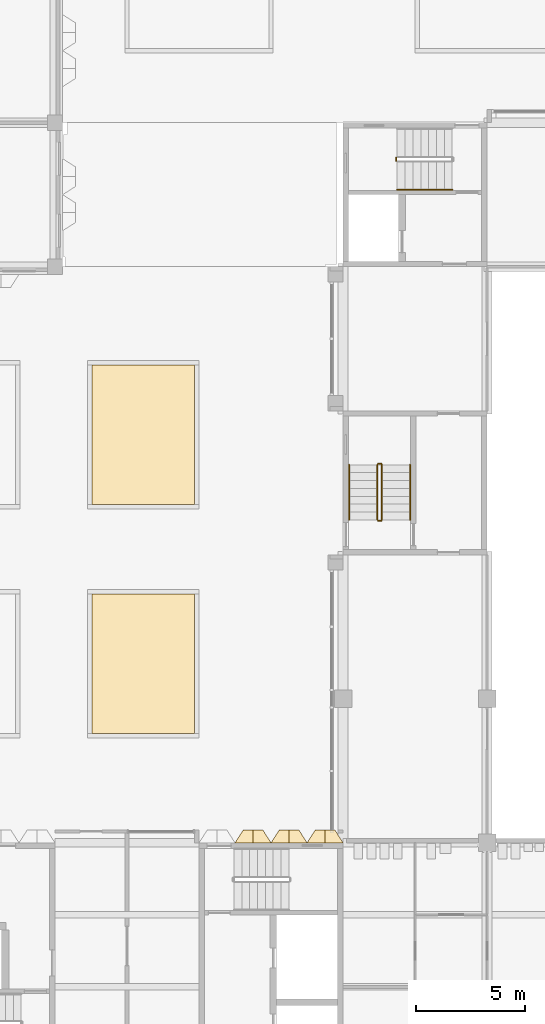
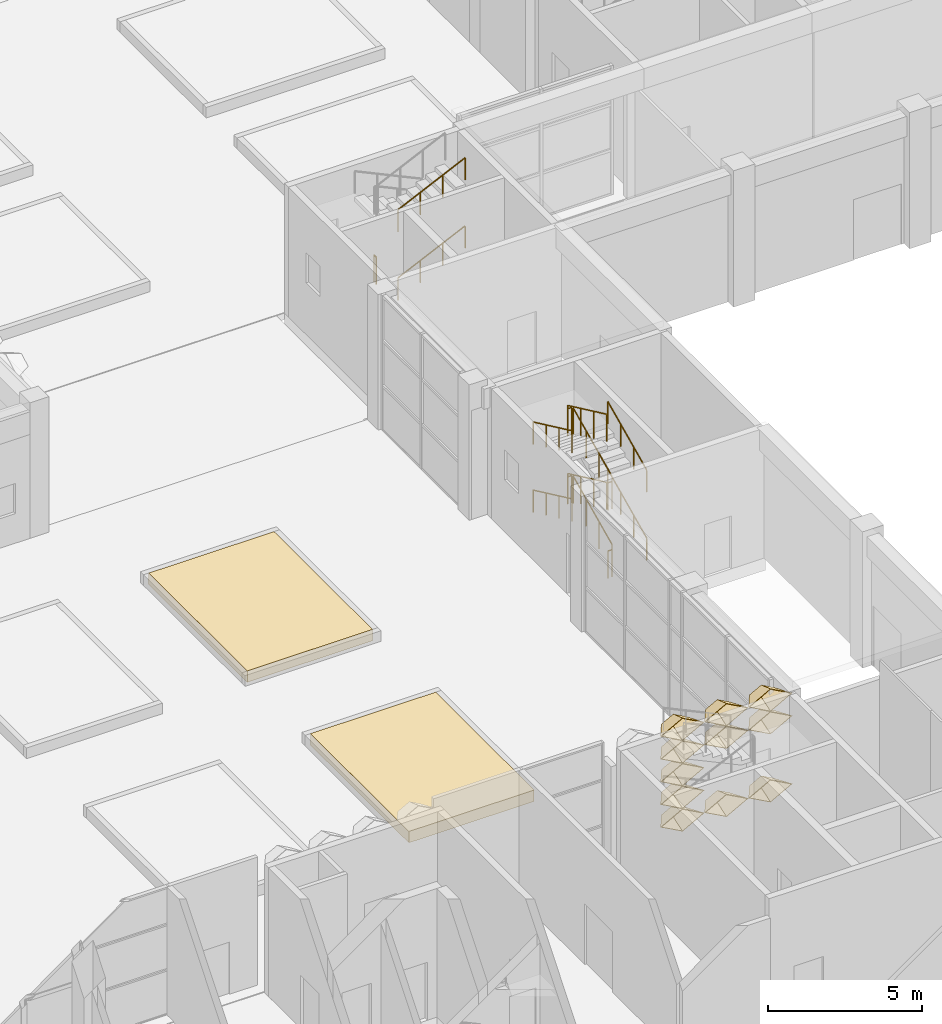
# One storey, part 58 of 85: 15 railings, 13 coverings.
"""IFC4 building model written with IfcOpenShell, lengths in metres."""

from ifc_helpers import new_model, entity, si_unit, direction, frame, origin, origin_2d, place, context, subcontext, project, spatial, polyline, circle, outline, extrude, material, layer, layer_set, type_object, element, save


model = new_model("IFC4")

# Units and contexts
model_context = context("Model", 3, precision=1e-05, world=origin(), true_north=direction((0.0, 1.0)))
body_context = subcontext(model_context, "Body", "Model", "MODEL_VIEW")
ifc_project = project(units=[si_unit("LENGTHUNIT", "METRE"), si_unit("AREAUNIT", "SQUARE_METRE"), si_unit("VOLUMEUNIT", "CUBIC_METRE"), si_unit("PLANEANGLEUNIT", "RADIAN"), si_unit("MASSUNIT", "GRAM", prefix="KILO")], contexts=[model_context])

# Site, building, storey
site_placement = place(None, origin())
site = spatial("IfcSite", under=ifc_project, at=site_placement, CompositionType="ELEMENT")
building_placement = place(site_placement, origin())
building = spatial("IfcBuilding", under=site, at=building_placement, Name="Lantern Court Research Institute", CompositionType="ELEMENT")
storey_placement = place(building_placement, origin())
storey = spatial("IfcBuildingStorey", under=building, at=storey_placement, Name="L00", CompositionType="ELEMENT", Elevation=0.0)

# Coverings
ifc_material_1 = material(Name="Anodised aluminium", Category="aluminium")
ifc_layer_1 = layer(ifc_material_1, 0.01611328125)
ifc_layer_set_1 = layer_set([ifc_layer_1], Name="Anodised aluminium")
covering_type_1 = type_object("IfcCoveringType", Name="Fin cassette 1650 x 900 x 600 aluminium", PredefinedType="CLADDING", material=ifc_layer_set_1)
covering_1_placement = place(storey_placement, frame((35.47509765625, 23.10009765625, 1.35009765625), z_axis=(0.0, 1.0, 0.0), x_axis=(-1.0, 0.0, 0.0)))
cartesian_point_1 = entity("IfcCartesianPoint", [0.824951171875, 0.0])
cartesian_point_2 = entity("IfcCartesianPoint", [0.79150390625, 0.0])
cartesian_point_3 = entity("IfcCartesianPoint", [0.44189453125, 0.0])
cartesian_point_4 = entity("IfcCartesianPoint", [0.43359375, 0.0])
element("IfcCovering", 1, at=covering_1_placement, inside=storey, type_object=covering_type_1, Name="Fin cassette V4N-L00 2.22", PredefinedType="CLADDING", context=body_context, shape_type="SweptSolid", body=[
    entity("IfcExtrudedAreaSolidTapered", entity("IfcArbitraryProfileDefWithVoids", "AREA", None, entity("IfcPolyline", [cartesian_point_1, entity("IfcCartesianPoint", [0.0, 0.449951171875]), entity("IfcCartesianPoint", [-0.824951171875, 0.0]), entity("IfcCartesianPoint", [0.0, -0.449951171875]), cartesian_point_1]), [entity("IfcPolyline", [cartesian_point_2, entity("IfcCartesianPoint", [0.0, 0.431884765625]), entity("IfcCartesianPoint", [-0.79150390625, 0.0]), entity("IfcCartesianPoint", [0.0, -0.431884765625]), cartesian_point_2])]), entity("IfcAxis2Placement3D", entity("IfcCartesianPoint", [0.0, 0.0, 0.0])), entity("IfcDirection", [0.0, 0.0, 1.0]), 0.60009765625, entity("IfcArbitraryProfileDefWithVoids", "AREA", None, entity("IfcPolyline", [cartesian_point_3, entity("IfcCartesianPoint", [0.0, 0.240966796875]), entity("IfcCartesianPoint", [-0.44189453125, 0.0]), entity("IfcCartesianPoint", [0.0, -0.240966796875]), cartesian_point_3]), [entity("IfcPolyline", [cartesian_point_4, entity("IfcCartesianPoint", [0.0, 0.236572265625]), entity("IfcCartesianPoint", [-0.43359375, 0.0]), entity("IfcCartesianPoint", [0.0, -0.236572265625]), cartesian_point_4])])),
])
covering_2_placement = place(storey_placement, frame((37.125, 23.10009765625, 1.35009765625), z_axis=(0.0, 1.0, 0.0), x_axis=(-1.0, 0.0, 0.0)))
cartesian_point_5 = entity("IfcCartesianPoint", [0.824951171875, 0.0])
cartesian_point_6 = entity("IfcCartesianPoint", [0.79150390625, 0.0])
cartesian_point_7 = entity("IfcCartesianPoint", [0.44189453125, 0.0])
cartesian_point_8 = entity("IfcCartesianPoint", [0.43359375, 0.0])
element("IfcCovering", 2, at=covering_2_placement, inside=storey, type_object=covering_type_1, Name="Fin cassette V4N-L00 2.23", PredefinedType="CLADDING", context=body_context, shape_type="SweptSolid", body=[
    entity("IfcExtrudedAreaSolidTapered", entity("IfcArbitraryProfileDefWithVoids", "AREA", None, entity("IfcPolyline", [cartesian_point_5, entity("IfcCartesianPoint", [0.0, 0.449951171875]), entity("IfcCartesianPoint", [-0.824951171875, 0.0]), entity("IfcCartesianPoint", [0.0, -0.449951171875]), cartesian_point_5]), [entity("IfcPolyline", [cartesian_point_6, entity("IfcCartesianPoint", [0.0, 0.431884765625]), entity("IfcCartesianPoint", [-0.79150390625, 0.0]), entity("IfcCartesianPoint", [0.0, -0.431884765625]), cartesian_point_6])]), entity("IfcAxis2Placement3D", entity("IfcCartesianPoint", [0.0, 0.0, 0.0])), entity("IfcDirection", [0.0, 0.0, 1.0]), 0.60009765625, entity("IfcArbitraryProfileDefWithVoids", "AREA", None, entity("IfcPolyline", [cartesian_point_7, entity("IfcCartesianPoint", [0.0, 0.240966796875]), entity("IfcCartesianPoint", [-0.44189453125, 0.0]), entity("IfcCartesianPoint", [0.0, -0.240966796875]), cartesian_point_7]), [entity("IfcPolyline", [cartesian_point_8, entity("IfcCartesianPoint", [0.0, 0.236572265625]), entity("IfcCartesianPoint", [-0.43359375, 0.0]), entity("IfcCartesianPoint", [0.0, -0.236572265625]), cartesian_point_8])])),
])
covering_3_placement = place(storey_placement, frame((38.77490234375, 23.10009765625, 1.35009765625), z_axis=(0.0, 1.0, 0.0), x_axis=(-1.0, 0.0, 0.0)))
cartesian_point_9 = entity("IfcCartesianPoint", [0.824951171875, 0.0])
cartesian_point_10 = entity("IfcCartesianPoint", [0.79150390625, 0.0])
cartesian_point_11 = entity("IfcCartesianPoint", [0.44189453125, 0.0])
cartesian_point_12 = entity("IfcCartesianPoint", [0.43359375, 0.0])
element("IfcCovering", 3, at=covering_3_placement, inside=storey, type_object=covering_type_1, Name="Fin cassette V4N-L00 2.24", PredefinedType="CLADDING", context=body_context, shape_type="SweptSolid", body=[
    entity("IfcExtrudedAreaSolidTapered", entity("IfcArbitraryProfileDefWithVoids", "AREA", None, entity("IfcPolyline", [cartesian_point_9, entity("IfcCartesianPoint", [0.0, 0.449951171875]), entity("IfcCartesianPoint", [-0.824951171875, 0.0]), entity("IfcCartesianPoint", [0.0, -0.449951171875]), cartesian_point_9]), [entity("IfcPolyline", [cartesian_point_10, entity("IfcCartesianPoint", [0.0, 0.431884765625]), entity("IfcCartesianPoint", [-0.79150390625, 0.0]), entity("IfcCartesianPoint", [0.0, -0.431884765625]), cartesian_point_10])]), entity("IfcAxis2Placement3D", entity("IfcCartesianPoint", [0.0, 0.0, 0.0])), entity("IfcDirection", [0.0, 0.0, 1.0]), 0.60009765625, entity("IfcArbitraryProfileDefWithVoids", "AREA", None, entity("IfcPolyline", [cartesian_point_11, entity("IfcCartesianPoint", [0.0, 0.240966796875]), entity("IfcCartesianPoint", [-0.44189453125, 0.0]), entity("IfcCartesianPoint", [0.0, -0.240966796875]), cartesian_point_11]), [entity("IfcPolyline", [cartesian_point_12, entity("IfcCartesianPoint", [0.0, 0.236572265625]), entity("IfcCartesianPoint", [-0.43359375, 0.0]), entity("IfcCartesianPoint", [0.0, -0.236572265625]), cartesian_point_12])])),
])
covering_4_placement = place(storey_placement, frame((35.47509765625, 23.10009765625, 2.25), z_axis=(0.0, 1.0, 0.0), x_axis=(-1.0, 0.0, 0.0)))
cartesian_point_13 = entity("IfcCartesianPoint", [0.824951171875, 0.0])
cartesian_point_14 = entity("IfcCartesianPoint", [0.79150390625, 0.0])
cartesian_point_15 = entity("IfcCartesianPoint", [0.44189453125, 0.0])
cartesian_point_16 = entity("IfcCartesianPoint", [0.43359375, 0.0])
element("IfcCovering", 4, at=covering_4_placement, inside=storey, type_object=covering_type_1, Name="Fin cassette V4N-L00 3.22", PredefinedType="CLADDING", context=body_context, shape_type="SweptSolid", body=[
    entity("IfcExtrudedAreaSolidTapered", entity("IfcArbitraryProfileDefWithVoids", "AREA", None, entity("IfcPolyline", [cartesian_point_13, entity("IfcCartesianPoint", [0.0, 0.449951171875]), entity("IfcCartesianPoint", [-0.824951171875, 0.0]), entity("IfcCartesianPoint", [0.0, -0.449951171875]), cartesian_point_13]), [entity("IfcPolyline", [cartesian_point_14, entity("IfcCartesianPoint", [0.0, 0.431884765625]), entity("IfcCartesianPoint", [-0.79150390625, 0.0]), entity("IfcCartesianPoint", [0.0, -0.431884765625]), cartesian_point_14])]), entity("IfcAxis2Placement3D", entity("IfcCartesianPoint", [0.0, 0.0, 0.0])), entity("IfcDirection", [0.0, 0.0, 1.0]), 0.60009765625, entity("IfcArbitraryProfileDefWithVoids", "AREA", None, entity("IfcPolyline", [cartesian_point_15, entity("IfcCartesianPoint", [0.0, 0.240966796875]), entity("IfcCartesianPoint", [-0.44189453125, 0.0]), entity("IfcCartesianPoint", [0.0, -0.240966796875]), cartesian_point_15]), [entity("IfcPolyline", [cartesian_point_16, entity("IfcCartesianPoint", [0.0, 0.236572265625]), entity("IfcCartesianPoint", [-0.43359375, 0.0]), entity("IfcCartesianPoint", [0.0, -0.236572265625]), cartesian_point_16])])),
])
covering_5_placement = place(storey_placement, frame((35.47509765625, 23.10009765625, 3.14990234375), z_axis=(0.0, 1.0, 0.0), x_axis=(-1.0, 0.0, 0.0)))
cartesian_point_17 = entity("IfcCartesianPoint", [0.824951171875, 0.0])
cartesian_point_18 = entity("IfcCartesianPoint", [0.79150390625, 0.0])
cartesian_point_19 = entity("IfcCartesianPoint", [0.44189453125, 0.0])
cartesian_point_20 = entity("IfcCartesianPoint", [0.43359375, 0.0])
element("IfcCovering", 5, at=covering_5_placement, inside=storey, type_object=covering_type_1, Name="Fin cassette V4N-L00 4.22", PredefinedType="CLADDING", context=body_context, shape_type="SweptSolid", body=[
    entity("IfcExtrudedAreaSolidTapered", entity("IfcArbitraryProfileDefWithVoids", "AREA", None, entity("IfcPolyline", [cartesian_point_17, entity("IfcCartesianPoint", [0.0, 0.449951171875]), entity("IfcCartesianPoint", [-0.824951171875, 0.0]), entity("IfcCartesianPoint", [0.0, -0.449951171875]), cartesian_point_17]), [entity("IfcPolyline", [cartesian_point_18, entity("IfcCartesianPoint", [0.0, 0.431884765625]), entity("IfcCartesianPoint", [-0.79150390625, 0.0]), entity("IfcCartesianPoint", [0.0, -0.431884765625]), cartesian_point_18])]), entity("IfcAxis2Placement3D", entity("IfcCartesianPoint", [0.0, 0.0, 0.0])), entity("IfcDirection", [0.0, 0.0, 1.0]), 0.60009765625, entity("IfcArbitraryProfileDefWithVoids", "AREA", None, entity("IfcPolyline", [cartesian_point_19, entity("IfcCartesianPoint", [0.0, 0.240966796875]), entity("IfcCartesianPoint", [-0.44189453125, 0.0]), entity("IfcCartesianPoint", [0.0, -0.240966796875]), cartesian_point_19]), [entity("IfcPolyline", [cartesian_point_20, entity("IfcCartesianPoint", [0.0, 0.236572265625]), entity("IfcCartesianPoint", [-0.43359375, 0.0]), entity("IfcCartesianPoint", [0.0, -0.236572265625]), cartesian_point_20])])),
])
covering_6_placement = place(storey_placement, frame((35.47509765625, 23.10009765625, 4.050048828125), z_axis=(0.0, 1.0, 0.0), x_axis=(-1.0, 0.0, 0.0)))
cartesian_point_21 = entity("IfcCartesianPoint", [0.824951171875, 0.0])
cartesian_point_22 = entity("IfcCartesianPoint", [0.79150390625, 0.0])
cartesian_point_23 = entity("IfcCartesianPoint", [0.44189453125, 0.0])
cartesian_point_24 = entity("IfcCartesianPoint", [0.43359375, 0.0])
element("IfcCovering", 6, at=covering_6_placement, inside=storey, type_object=covering_type_1, Name="Fin cassette V4N-L00 5.22", PredefinedType="CLADDING", context=body_context, shape_type="SweptSolid", body=[
    entity("IfcExtrudedAreaSolidTapered", entity("IfcArbitraryProfileDefWithVoids", "AREA", None, entity("IfcPolyline", [cartesian_point_21, entity("IfcCartesianPoint", [0.0, 0.449951171875]), entity("IfcCartesianPoint", [-0.824951171875, 0.0]), entity("IfcCartesianPoint", [0.0, -0.449951171875]), cartesian_point_21]), [entity("IfcPolyline", [cartesian_point_22, entity("IfcCartesianPoint", [0.0, 0.431884765625]), entity("IfcCartesianPoint", [-0.79150390625, 0.0]), entity("IfcCartesianPoint", [0.0, -0.431884765625]), cartesian_point_22])]), entity("IfcAxis2Placement3D", entity("IfcCartesianPoint", [0.0, 0.0, 0.0])), entity("IfcDirection", [0.0, 0.0, 1.0]), 0.60009765625, entity("IfcArbitraryProfileDefWithVoids", "AREA", None, entity("IfcPolyline", [cartesian_point_23, entity("IfcCartesianPoint", [0.0, 0.240966796875]), entity("IfcCartesianPoint", [-0.44189453125, 0.0]), entity("IfcCartesianPoint", [0.0, -0.240966796875]), cartesian_point_23]), [entity("IfcPolyline", [cartesian_point_24, entity("IfcCartesianPoint", [0.0, 0.236572265625]), entity("IfcCartesianPoint", [-0.43359375, 0.0]), entity("IfcCartesianPoint", [0.0, -0.236572265625]), cartesian_point_24])])),
])
covering_7_placement = place(storey_placement, frame((37.125, 23.10009765625, 4.050048828125), z_axis=(0.0, 1.0, 0.0), x_axis=(-1.0, 0.0, 0.0)))
cartesian_point_25 = entity("IfcCartesianPoint", [0.824951171875, 0.0])
cartesian_point_26 = entity("IfcCartesianPoint", [0.79150390625, 0.0])
cartesian_point_27 = entity("IfcCartesianPoint", [0.44189453125, 0.0])
cartesian_point_28 = entity("IfcCartesianPoint", [0.43359375, 0.0])
element("IfcCovering", 7, at=covering_7_placement, inside=storey, type_object=covering_type_1, Name="Fin cassette V4N-L00 5.23", PredefinedType="CLADDING", context=body_context, shape_type="SweptSolid", body=[
    entity("IfcExtrudedAreaSolidTapered", entity("IfcArbitraryProfileDefWithVoids", "AREA", None, entity("IfcPolyline", [cartesian_point_25, entity("IfcCartesianPoint", [0.0, 0.449951171875]), entity("IfcCartesianPoint", [-0.824951171875, 0.0]), entity("IfcCartesianPoint", [0.0, -0.449951171875]), cartesian_point_25]), [entity("IfcPolyline", [cartesian_point_26, entity("IfcCartesianPoint", [0.0, 0.431884765625]), entity("IfcCartesianPoint", [-0.79150390625, 0.0]), entity("IfcCartesianPoint", [0.0, -0.431884765625]), cartesian_point_26])]), entity("IfcAxis2Placement3D", entity("IfcCartesianPoint", [0.0, 0.0, 0.0])), entity("IfcDirection", [0.0, 0.0, 1.0]), 0.60009765625, entity("IfcArbitraryProfileDefWithVoids", "AREA", None, entity("IfcPolyline", [cartesian_point_27, entity("IfcCartesianPoint", [0.0, 0.240966796875]), entity("IfcCartesianPoint", [-0.44189453125, 0.0]), entity("IfcCartesianPoint", [0.0, -0.240966796875]), cartesian_point_27]), [entity("IfcPolyline", [cartesian_point_28, entity("IfcCartesianPoint", [0.0, 0.236572265625]), entity("IfcCartesianPoint", [-0.43359375, 0.0]), entity("IfcCartesianPoint", [0.0, -0.236572265625]), cartesian_point_28])])),
])
covering_8_placement = place(storey_placement, frame((38.77490234375, 23.10009765625, 4.050048828125), z_axis=(0.0, 1.0, 0.0), x_axis=(-1.0, 0.0, 0.0)))
cartesian_point_29 = entity("IfcCartesianPoint", [0.824951171875, 0.0])
cartesian_point_30 = entity("IfcCartesianPoint", [0.79150390625, 0.0])
cartesian_point_31 = entity("IfcCartesianPoint", [0.44189453125, 0.0])
cartesian_point_32 = entity("IfcCartesianPoint", [0.43359375, 0.0])
element("IfcCovering", 8, at=covering_8_placement, inside=storey, type_object=covering_type_1, Name="Fin cassette V4N-L00 5.24", PredefinedType="CLADDING", context=body_context, shape_type="SweptSolid", body=[
    entity("IfcExtrudedAreaSolidTapered", entity("IfcArbitraryProfileDefWithVoids", "AREA", None, entity("IfcPolyline", [cartesian_point_29, entity("IfcCartesianPoint", [0.0, 0.449951171875]), entity("IfcCartesianPoint", [-0.824951171875, 0.0]), entity("IfcCartesianPoint", [0.0, -0.449951171875]), cartesian_point_29]), [entity("IfcPolyline", [cartesian_point_30, entity("IfcCartesianPoint", [0.0, 0.431884765625]), entity("IfcCartesianPoint", [-0.79150390625, 0.0]), entity("IfcCartesianPoint", [0.0, -0.431884765625]), cartesian_point_30])]), entity("IfcAxis2Placement3D", entity("IfcCartesianPoint", [0.0, 0.0, 0.0])), entity("IfcDirection", [0.0, 0.0, 1.0]), 0.60009765625, entity("IfcArbitraryProfileDefWithVoids", "AREA", None, entity("IfcPolyline", [cartesian_point_31, entity("IfcCartesianPoint", [0.0, 0.240966796875]), entity("IfcCartesianPoint", [-0.44189453125, 0.0]), entity("IfcCartesianPoint", [0.0, -0.240966796875]), cartesian_point_31]), [entity("IfcPolyline", [cartesian_point_32, entity("IfcCartesianPoint", [0.0, 0.236572265625]), entity("IfcCartesianPoint", [-0.43359375, 0.0]), entity("IfcCartesianPoint", [0.0, -0.236572265625]), cartesian_point_32])])),
])
covering_9_placement = place(storey_placement, frame((35.47509765625, 23.10009765625, 4.949951171875), z_axis=(0.0, 1.0, 0.0), x_axis=(-1.0, 0.0, 0.0)))
cartesian_point_33 = entity("IfcCartesianPoint", [0.824951171875, 0.0])
cartesian_point_34 = entity("IfcCartesianPoint", [0.79150390625, 0.0])
cartesian_point_35 = entity("IfcCartesianPoint", [0.44189453125, 0.0])
cartesian_point_36 = entity("IfcCartesianPoint", [0.43359375, 0.0])
element("IfcCovering", 9, at=covering_9_placement, inside=storey, type_object=covering_type_1, Name="Fin cassette V4N-L00 6.22", PredefinedType="CLADDING", context=body_context, shape_type="SweptSolid", body=[
    entity("IfcExtrudedAreaSolidTapered", entity("IfcArbitraryProfileDefWithVoids", "AREA", None, entity("IfcPolyline", [cartesian_point_33, entity("IfcCartesianPoint", [0.0, 0.449951171875]), entity("IfcCartesianPoint", [-0.824951171875, 0.0]), entity("IfcCartesianPoint", [0.0, -0.449951171875]), cartesian_point_33]), [entity("IfcPolyline", [cartesian_point_34, entity("IfcCartesianPoint", [0.0, 0.431884765625]), entity("IfcCartesianPoint", [-0.79150390625, 0.0]), entity("IfcCartesianPoint", [0.0, -0.431884765625]), cartesian_point_34])]), entity("IfcAxis2Placement3D", entity("IfcCartesianPoint", [0.0, 0.0, 0.0])), entity("IfcDirection", [0.0, 0.0, 1.0]), 0.60009765625, entity("IfcArbitraryProfileDefWithVoids", "AREA", None, entity("IfcPolyline", [cartesian_point_35, entity("IfcCartesianPoint", [0.0, 0.240966796875]), entity("IfcCartesianPoint", [-0.44189453125, 0.0]), entity("IfcCartesianPoint", [0.0, -0.240966796875]), cartesian_point_35]), [entity("IfcPolyline", [cartesian_point_36, entity("IfcCartesianPoint", [0.0, 0.236572265625]), entity("IfcCartesianPoint", [-0.43359375, 0.0]), entity("IfcCartesianPoint", [0.0, -0.236572265625]), cartesian_point_36])])),
])
covering_10_placement = place(storey_placement, frame((37.125, 23.10009765625, 4.949951171875), z_axis=(0.0, 1.0, 0.0), x_axis=(-1.0, 0.0, 0.0)))
cartesian_point_37 = entity("IfcCartesianPoint", [0.824951171875, 0.0])
cartesian_point_38 = entity("IfcCartesianPoint", [0.79150390625, 0.0])
cartesian_point_39 = entity("IfcCartesianPoint", [0.44189453125, 0.0])
cartesian_point_40 = entity("IfcCartesianPoint", [0.43359375, 0.0])
element("IfcCovering", 10, at=covering_10_placement, inside=storey, type_object=covering_type_1, Name="Fin cassette V4N-L00 6.23", PredefinedType="CLADDING", context=body_context, shape_type="SweptSolid", body=[
    entity("IfcExtrudedAreaSolidTapered", entity("IfcArbitraryProfileDefWithVoids", "AREA", None, entity("IfcPolyline", [cartesian_point_37, entity("IfcCartesianPoint", [0.0, 0.449951171875]), entity("IfcCartesianPoint", [-0.824951171875, 0.0]), entity("IfcCartesianPoint", [0.0, -0.449951171875]), cartesian_point_37]), [entity("IfcPolyline", [cartesian_point_38, entity("IfcCartesianPoint", [0.0, 0.431884765625]), entity("IfcCartesianPoint", [-0.79150390625, 0.0]), entity("IfcCartesianPoint", [0.0, -0.431884765625]), cartesian_point_38])]), entity("IfcAxis2Placement3D", entity("IfcCartesianPoint", [0.0, 0.0, 0.0])), entity("IfcDirection", [0.0, 0.0, 1.0]), 0.60009765625, entity("IfcArbitraryProfileDefWithVoids", "AREA", None, entity("IfcPolyline", [cartesian_point_39, entity("IfcCartesianPoint", [0.0, 0.240966796875]), entity("IfcCartesianPoint", [-0.44189453125, 0.0]), entity("IfcCartesianPoint", [0.0, -0.240966796875]), cartesian_point_39]), [entity("IfcPolyline", [cartesian_point_40, entity("IfcCartesianPoint", [0.0, 0.236572265625]), entity("IfcCartesianPoint", [-0.43359375, 0.0]), entity("IfcCartesianPoint", [0.0, -0.236572265625]), cartesian_point_40])])),
])
covering_11_placement = place(storey_placement, frame((38.77490234375, 23.10009765625, 4.949951171875), z_axis=(0.0, 1.0, 0.0), x_axis=(-1.0, 0.0, 0.0)))
cartesian_point_41 = entity("IfcCartesianPoint", [0.824951171875, 0.0])
cartesian_point_42 = entity("IfcCartesianPoint", [0.79150390625, 0.0])
cartesian_point_43 = entity("IfcCartesianPoint", [0.44189453125, 0.0])
cartesian_point_44 = entity("IfcCartesianPoint", [0.43359375, 0.0])
element("IfcCovering", 11, at=covering_11_placement, inside=storey, type_object=covering_type_1, Name="Fin cassette V4N-L00 6.24", PredefinedType="CLADDING", context=body_context, shape_type="SweptSolid", body=[
    entity("IfcExtrudedAreaSolidTapered", entity("IfcArbitraryProfileDefWithVoids", "AREA", None, entity("IfcPolyline", [cartesian_point_41, entity("IfcCartesianPoint", [0.0, 0.449951171875]), entity("IfcCartesianPoint", [-0.824951171875, 0.0]), entity("IfcCartesianPoint", [0.0, -0.449951171875]), cartesian_point_41]), [entity("IfcPolyline", [cartesian_point_42, entity("IfcCartesianPoint", [0.0, 0.431884765625]), entity("IfcCartesianPoint", [-0.79150390625, 0.0]), entity("IfcCartesianPoint", [0.0, -0.431884765625]), cartesian_point_42])]), entity("IfcAxis2Placement3D", entity("IfcCartesianPoint", [0.0, 0.0, 0.0])), entity("IfcDirection", [0.0, 0.0, 1.0]), 0.60009765625, entity("IfcArbitraryProfileDefWithVoids", "AREA", None, entity("IfcPolyline", [cartesian_point_43, entity("IfcCartesianPoint", [0.0, 0.240966796875]), entity("IfcCartesianPoint", [-0.44189453125, 0.0]), entity("IfcCartesianPoint", [0.0, -0.240966796875]), cartesian_point_43]), [entity("IfcPolyline", [cartesian_point_44, entity("IfcCartesianPoint", [0.0, 0.236572265625]), entity("IfcCartesianPoint", [-0.43359375, 0.0]), entity("IfcCartesianPoint", [0.0, -0.236572265625]), cartesian_point_44])])),
])
ifc_material_2 = material(Name="Planting soil")
ifc_layer_2 = layer(ifc_material_2, 0.449951171875)
ifc_layer_set_2 = layer_set([ifc_layer_2], Name="Planting soil")
covering_type_2 = type_object("IfcCoveringType", Name="Planting soil 450 mm", PredefinedType="FLOORING", material=ifc_layer_set_2)
covering_12_placement = place(storey_placement, origin())
element("IfcCovering", 12, at=covering_12_placement, inside=storey, type_object=covering_type_2, Name="Planting bed court 5", PredefinedType="FLOORING", context=body_context, shape_type="SweptSolid", body=[
    extrude(outline(polyline([(28.10009765625, 28.10009765625), (32.800048828125, 28.10009765625), (32.800048828125, 34.5), (28.10009765625, 34.5), (28.10009765625, 28.10009765625)])), origin(), (0.0, 0.0, 1.0), 0.449951171875),
])
covering_13_placement = place(storey_placement, origin())
element("IfcCovering", 13, at=covering_13_placement, inside=storey, type_object=covering_type_2, Name="Planting bed court 6", PredefinedType="FLOORING", context=body_context, shape_type="SweptSolid", body=[
    extrude(outline(polyline([(28.10009765625, 38.60009765625), (32.800048828125, 38.60009765625), (32.800048828125, 45.0), (28.10009765625, 45.0), (28.10009765625, 38.60009765625)])), origin(), (0.0, 0.0, 1.0), 0.449951171875),
])

# Railings
ifc_material_3 = material(Name="Structural steel S355", Category="steel")
railing_type_1 = type_object("IfcRailingType", Name="Stair guard 1100 steel", PredefinedType="GUARDRAIL", material=ifc_material_3)
railing_1_placement = place(storey_placement, frame((42.030029296875, 54.5, 1.35009765625)))
element("IfcRailing", 14, at=railing_1_placement, inside=storey, type_object=railing_type_1, Name="L00 ST-H1 stair guard 2", PredefinedType="GUARDRAIL", context=body_context, shape_type="SweptSolid", body=[
    extrude(circle(Radius=0.02392578125, at=origin_2d()), frame((0.0, 0.0, 1.076171875), z_axis=(0.0, -1.0, 0.0), x_axis=(1.0, 0.0, 0.0)), (0.0, 0.0, 1.0), 0.14990234375),
    extrude(circle(Radius=0.02099609375, at=origin_2d()), origin(), (0.0, 0.0, 1.0), 1.052001953125),
    extrude(circle(Radius=0.02099609375, at=origin_2d()), frame((0.0, -0.14990234375, 0.0)), (0.0, 0.0, 1.0), 1.052001953125),
])
railing_2_placement = place(storey_placement, frame((41.375, 37.89990234375, 0.168701171875)))
element("IfcRailing", 15, at=railing_2_placement, inside=storey, type_object=railing_type_1, Name="L00 ST-H3 stair guard 1", PredefinedType="GUARDRAIL", context=body_context, shape_type="SweptSolid", body=[
    extrude(circle(Radius=0.02392578125, at=origin_2d()), frame((0.0, 0.0, 1.076171875), z_axis=(0.0, 0.905439972488, 0.424474329284), x_axis=(-1.0, 0.0, 0.0)), (0.0, 0.0, 1.0), 2.783203125),
    extrude(circle(Radius=0.02099609375, at=origin_2d()), origin(), (0.0, 0.0, 1.0), 1.052001953125),
    extrude(circle(Radius=0.02099609375, at=origin_2d()), frame((0.0, 0.840087890625, 0.393798828125)), (0.0, 0.0, 1.0), 1.052001953125),
    extrude(circle(Radius=0.02099609375, at=origin_2d()), frame((0.0, 1.679931640625, 0.78759765625)), (0.0, 0.0, 1.0), 1.052001953125),
    extrude(circle(Radius=0.02099609375, at=origin_2d()), frame((0.0, 2.52001953125, 1.181396484375)), (0.0, 0.0, 1.0), 1.052001953125),
])
railing_3_placement = place(storey_placement, frame((41.35009765625, 40.469970703125, 1.35009765625)))
element("IfcRailing", 16, at=railing_3_placement, inside=storey, type_object=railing_type_1, Name="L00 ST-H3 stair guard 2", PredefinedType="GUARDRAIL", context=body_context, shape_type="SweptSolid", body=[
    extrude(circle(Radius=0.02392578125, at=origin_2d()), frame((0.0, 0.0, 1.076171875), z_axis=(-1.0, 0.0, 0.0), x_axis=(0.0, -1.0, 0.0)), (0.0, 0.0, 1.0), 0.150146484375),
    extrude(circle(Radius=0.02099609375, at=origin_2d()), origin(), (0.0, 0.0, 1.0), 1.052001953125),
    extrude(circle(Radius=0.02099609375, at=origin_2d()), frame((-0.150146484375, 0.0, 0.0)), (0.0, 0.0, 1.0), 1.052001953125),
])
railing_4_placement = place(storey_placement, frame((41.175048828125, 40.419921875, 1.518798828125)))
element("IfcRailing", 17, at=railing_4_placement, inside=storey, type_object=railing_type_1, Name="L00 ST-H3 stair guard 3", PredefinedType="GUARDRAIL", context=body_context, shape_type="SweptSolid", body=[
    extrude(circle(Radius=0.02392578125, at=origin_2d()), frame((0.0, 0.0, 1.076171875), z_axis=(0.0, -0.905473684625, 0.424402410988), x_axis=(1.0, 0.0, 0.0)), (0.0, 0.0, 1.0), 2.783203125),
    extrude(circle(Radius=0.02099609375, at=origin_2d()), origin(), (0.0, 0.0, 1.0), 1.052001953125),
    extrude(circle(Radius=0.02099609375, at=origin_2d()), frame((0.0, -0.840087890625, 0.393798828125)), (0.0, 0.0, 1.0), 1.052001953125),
    extrude(circle(Radius=0.02099609375, at=origin_2d()), frame((0.0, -1.679931640625, 0.787353515625)), (0.0, 0.0, 1.0), 1.052001953125),
    extrude(circle(Radius=0.02099609375, at=origin_2d()), frame((0.0, -2.52001953125, 1.18115234375)), (0.0, 0.0, 1.0), 1.052001953125),
])
railing_5_placement = place(storey_placement, frame((41.35009765625, 37.85009765625, 2.699951171875)))
element("IfcRailing", 18, at=railing_5_placement, inside=storey, type_object=railing_type_1, Name="L00 ST-H3 stair guard 4", PredefinedType="GUARDRAIL", context=body_context, shape_type="SweptSolid", body=[
    extrude(circle(Radius=0.02392578125, at=origin_2d()), frame((0.0, 0.0, 1.076171875), z_axis=(-1.0, 0.0, 0.0), x_axis=(0.0, -1.0, 0.0)), (0.0, 0.0, 1.0), 0.150146484375),
    extrude(circle(Radius=0.02099609375, at=origin_2d()), origin(), (0.0, 0.0, 1.0), 1.052001953125),
    extrude(circle(Radius=0.02099609375, at=origin_2d()), frame((-0.150146484375, 0.0, 0.0)), (0.0, 0.0, 1.0), 1.052001953125),
])
railing_6_placement = place(storey_placement, frame((41.375, 37.89990234375, 2.86865234375)))
element("IfcRailing", 19, at=railing_6_placement, inside=storey, type_object=railing_type_1, Name="L00 ST-H3 stair guard 5", PredefinedType="GUARDRAIL", context=body_context, shape_type="SweptSolid", body=[
    extrude(circle(Radius=0.02392578125, at=origin_2d()), frame((0.0, 0.0, 1.076171875), z_axis=(0.0, 0.905439972488, 0.424474329284), x_axis=(-1.0, 0.0, 0.0)), (0.0, 0.0, 1.0), 2.783203125),
    extrude(circle(Radius=0.02099609375, at=origin_2d()), origin(), (0.0, 0.0, 1.0), 1.052001953125),
    extrude(circle(Radius=0.02099609375, at=origin_2d()), frame((0.0, 0.840087890625, 0.393798828125)), (0.0, 0.0, 1.0), 1.052001953125),
    extrude(circle(Radius=0.02099609375, at=origin_2d()), frame((0.0, 1.679931640625, 0.78759765625)), (0.0, 0.0, 1.0), 1.052001953125),
    extrude(circle(Radius=0.02099609375, at=origin_2d()), frame((0.0, 2.52001953125, 1.181396484375)), (0.0, 0.0, 1.0), 1.052001953125),
])
railing_7_placement = place(storey_placement, frame((41.35009765625, 40.469970703125, 4.050048828125)))
element("IfcRailing", 20, at=railing_7_placement, inside=storey, type_object=railing_type_1, Name="L00 ST-H3 stair guard 6", PredefinedType="GUARDRAIL", context=body_context, shape_type="SweptSolid", body=[
    extrude(circle(Radius=0.02392578125, at=origin_2d()), frame((0.0, 0.0, 1.076171875), z_axis=(-1.0, 0.0, 0.0), x_axis=(0.0, -1.0, 0.0)), (0.0, 0.0, 1.0), 0.150146484375),
    extrude(circle(Radius=0.02099609375, at=origin_2d()), origin(), (0.0, 0.0, 1.0), 1.052001953125),
    extrude(circle(Radius=0.02099609375, at=origin_2d()), frame((-0.150146484375, 0.0, 0.0)), (0.0, 0.0, 1.0), 1.052001953125),
])
railing_8_placement = place(storey_placement, frame((41.175048828125, 40.419921875, 4.21875)))
element("IfcRailing", 21, at=railing_8_placement, inside=storey, type_object=railing_type_1, Name="L00 ST-H3 stair guard 7", PredefinedType="GUARDRAIL", context=body_context, shape_type="SweptSolid", body=[
    extrude(circle(Radius=0.02392578125, at=origin_2d()), frame((0.0, 0.0, 1.076171875), z_axis=(0.0, -0.905473684625, 0.424402410988), x_axis=(1.0, 0.0, 0.0)), (0.0, 0.0, 1.0), 2.783203125),
    extrude(circle(Radius=0.02099609375, at=origin_2d()), origin(), (0.0, 0.0, 1.0), 1.052001953125),
    extrude(circle(Radius=0.02099609375, at=origin_2d()), frame((0.0, -0.840087890625, 0.393798828125)), (0.0, 0.0, 1.0), 1.052001953125),
    extrude(circle(Radius=0.02099609375, at=origin_2d()), frame((0.0, -1.679931640625, 0.787353515625)), (0.0, 0.0, 1.0), 1.052001953125),
    extrude(circle(Radius=0.02099609375, at=origin_2d()), frame((0.0, -2.52001953125, 1.18115234375)), (0.0, 0.0, 1.0), 1.052001953125),
])
railing_9_placement = place(storey_placement, frame((41.35009765625, 37.85009765625, 0.0)))
element("IfcRailing", 22, at=railing_9_placement, inside=storey, type_object=railing_type_1, Name="L00 ST-H3 stair guard 8", PredefinedType="GUARDRAIL", context=body_context, shape_type="SweptSolid", body=[
    extrude(circle(Radius=0.02392578125, at=origin_2d()), frame((0.0, 0.0, 1.076171875), z_axis=(-1.0, 0.0, 0.0), x_axis=(0.0, -1.0, 0.0)), (0.0, 0.0, 1.0), 0.150146484375),
    extrude(circle(Radius=0.02099609375, at=origin_2d()), origin(), (0.0, 0.0, 1.0), 1.052001953125),
    extrude(circle(Radius=0.02099609375, at=origin_2d()), frame((-0.150146484375, 0.0, 0.0)), (0.0, 0.0, 1.0), 1.052001953125),
])
ifc_material_4 = material(Name="Stainless steel 316", Category="steel")
railing_type_2 = type_object("IfcRailingType", Name="Stair handrail 900 steel", PredefinedType="HANDRAIL", material=ifc_material_4)
for number, where, name in (
    (23, (42.080078125, 53.02490234375, 1.518798828125), "L00 ST-H1 stair handrail 2"),
    (24, (42.080078125, 53.02490234375, 4.21875), "L00 ST-H1 stair handrail 4"),
):
    element("IfcRailing", number, at=place(storey_placement, frame(where)), inside=storey, type_object=railing_type_2, Name=name, PredefinedType="HANDRAIL", context=body_context, shape_type="SweptSolid", body=[
        extrude(circle(Radius=0.02392578125, at=origin_2d()), frame((0.0, 0.0, 0.8759765625), z_axis=(0.905473684625, 0.0, 0.424402410988), x_axis=(0.0, 1.0, 0.0)), (0.0, 0.0, 1.0), 2.783203125),
        extrude(circle(Radius=0.02099609375, at=origin_2d()), origin(), (0.0, 0.0, 1.0), 0.851806640625),
        extrude(circle(Radius=0.02099609375, at=origin_2d()), frame((0.840087890625, 0.0, 0.393798828125)), (0.0, 0.0, 1.0), 0.851806640625),
        extrude(circle(Radius=0.02099609375, at=origin_2d()), frame((1.679931640625, 0.0, 0.787353515625)), (0.0, 0.0, 1.0), 0.851806640625),
        extrude(circle(Radius=0.02099609375, at=origin_2d()), frame((2.52001953125, 0.0, 1.18115234375)), (0.0, 0.0, 1.0), 0.851806640625),
    ])
railing_10_placement = place(storey_placement, frame((42.675048828125, 37.89990234375, 0.168701171875)))
element("IfcRailing", 25, at=railing_10_placement, inside=storey, type_object=railing_type_2, Name="L00 ST-H3 stair handrail 1", PredefinedType="HANDRAIL", context=body_context, shape_type="SweptSolid", body=[
    extrude(circle(Radius=0.02392578125, at=origin_2d()), frame((0.0, 0.0, 0.8759765625), z_axis=(0.0, 0.905439972488, 0.424474329284), x_axis=(-1.0, 0.0, 0.0)), (0.0, 0.0, 1.0), 2.783203125),
    extrude(circle(Radius=0.02099609375, at=origin_2d()), origin(), (0.0, 0.0, 1.0), 0.851806640625),
    extrude(circle(Radius=0.02099609375, at=origin_2d()), frame((0.0, 0.840087890625, 0.393798828125)), (0.0, 0.0, 1.0), 0.851806640625),
    extrude(circle(Radius=0.02099609375, at=origin_2d()), frame((0.0, 1.679931640625, 0.78759765625)), (0.0, 0.0, 1.0), 0.851806640625),
    extrude(circle(Radius=0.02099609375, at=origin_2d()), frame((0.0, 2.52001953125, 1.181396484375)), (0.0, 0.0, 1.0), 0.851806640625),
])
railing_11_placement = place(storey_placement, frame((39.875, 40.419921875, 1.518798828125)))
element("IfcRailing", 26, at=railing_11_placement, inside=storey, type_object=railing_type_2, Name="L00 ST-H3 stair handrail 2", PredefinedType="HANDRAIL", context=body_context, shape_type="SweptSolid", body=[
    extrude(circle(Radius=0.02392578125, at=origin_2d()), frame((0.0, 0.0, 0.8759765625), z_axis=(0.0, -0.905473684625, 0.424402410988), x_axis=(1.0, 0.0, 0.0)), (0.0, 0.0, 1.0), 2.783203125),
    extrude(circle(Radius=0.02099609375, at=origin_2d()), origin(), (0.0, 0.0, 1.0), 0.851806640625),
    extrude(circle(Radius=0.02099609375, at=origin_2d()), frame((0.0, -0.840087890625, 0.393798828125)), (0.0, 0.0, 1.0), 0.851806640625),
    extrude(circle(Radius=0.02099609375, at=origin_2d()), frame((0.0, -1.679931640625, 0.787353515625)), (0.0, 0.0, 1.0), 0.851806640625),
    extrude(circle(Radius=0.02099609375, at=origin_2d()), frame((0.0, -2.52001953125, 1.18115234375)), (0.0, 0.0, 1.0), 0.851806640625),
])
railing_12_placement = place(storey_placement, frame((42.675048828125, 37.89990234375, 2.86865234375)))
element("IfcRailing", 27, at=railing_12_placement, inside=storey, type_object=railing_type_2, Name="L00 ST-H3 stair handrail 3", PredefinedType="HANDRAIL", context=body_context, shape_type="SweptSolid", body=[
    extrude(circle(Radius=0.02392578125, at=origin_2d()), frame((0.0, 0.0, 0.8759765625), z_axis=(0.0, 0.905439972488, 0.424474329284), x_axis=(-1.0, 0.0, 0.0)), (0.0, 0.0, 1.0), 2.783203125),
    extrude(circle(Radius=0.02099609375, at=origin_2d()), origin(), (0.0, 0.0, 1.0), 0.851806640625),
    extrude(circle(Radius=0.02099609375, at=origin_2d()), frame((0.0, 0.840087890625, 0.393798828125)), (0.0, 0.0, 1.0), 0.851806640625),
    extrude(circle(Radius=0.02099609375, at=origin_2d()), frame((0.0, 1.679931640625, 0.78759765625)), (0.0, 0.0, 1.0), 0.851806640625),
    extrude(circle(Radius=0.02099609375, at=origin_2d()), frame((0.0, 2.52001953125, 1.181396484375)), (0.0, 0.0, 1.0), 0.851806640625),
])
railing_13_placement = place(storey_placement, frame((39.875, 40.419921875, 4.21875)))
element("IfcRailing", 28, at=railing_13_placement, inside=storey, type_object=railing_type_2, Name="L00 ST-H3 stair handrail 4", PredefinedType="HANDRAIL", context=body_context, shape_type="SweptSolid", body=[
    extrude(circle(Radius=0.02392578125, at=origin_2d()), frame((0.0, 0.0, 0.8759765625), z_axis=(0.0, -0.905473684625, 0.424402410988), x_axis=(1.0, 0.0, 0.0)), (0.0, 0.0, 1.0), 2.783203125),
    extrude(circle(Radius=0.02099609375, at=origin_2d()), origin(), (0.0, 0.0, 1.0), 0.851806640625),
    extrude(circle(Radius=0.02099609375, at=origin_2d()), frame((0.0, -0.840087890625, 0.393798828125)), (0.0, 0.0, 1.0), 0.851806640625),
    extrude(circle(Radius=0.02099609375, at=origin_2d()), frame((0.0, -1.679931640625, 0.787353515625)), (0.0, 0.0, 1.0), 0.851806640625),
    extrude(circle(Radius=0.02099609375, at=origin_2d()), frame((0.0, -2.52001953125, 1.18115234375)), (0.0, 0.0, 1.0), 0.851806640625),
])

save(model, "model.ifc")
